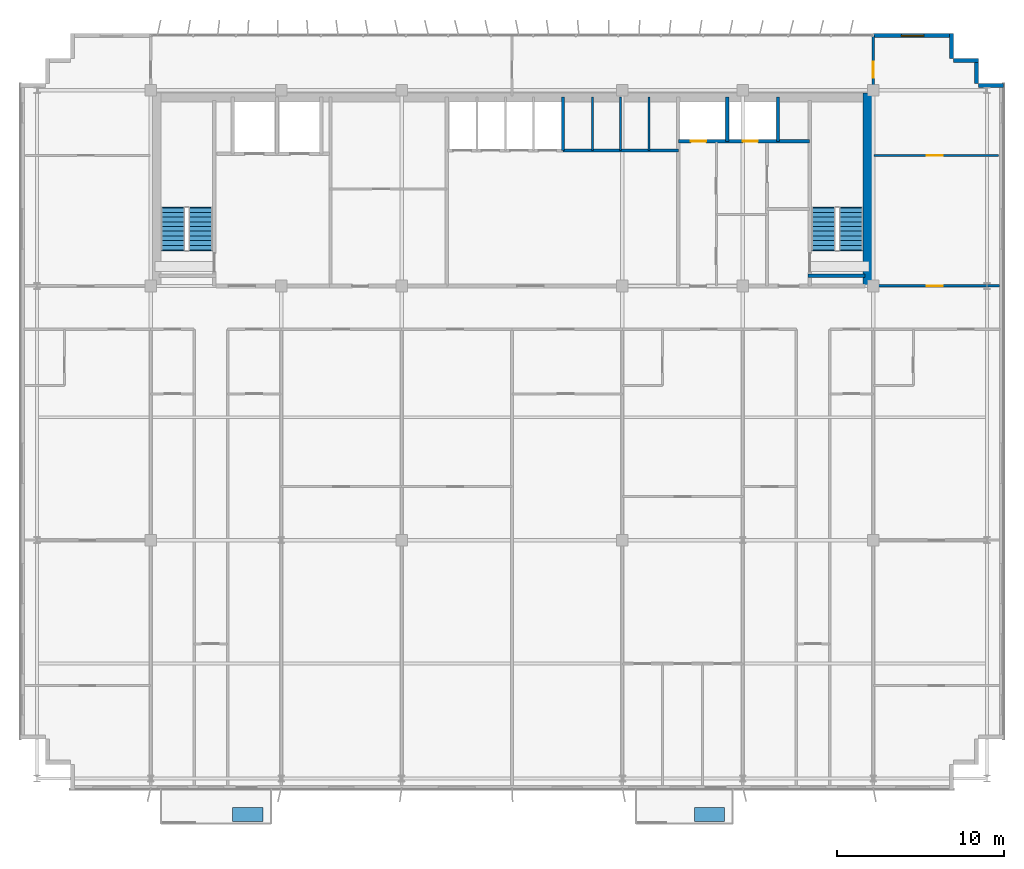
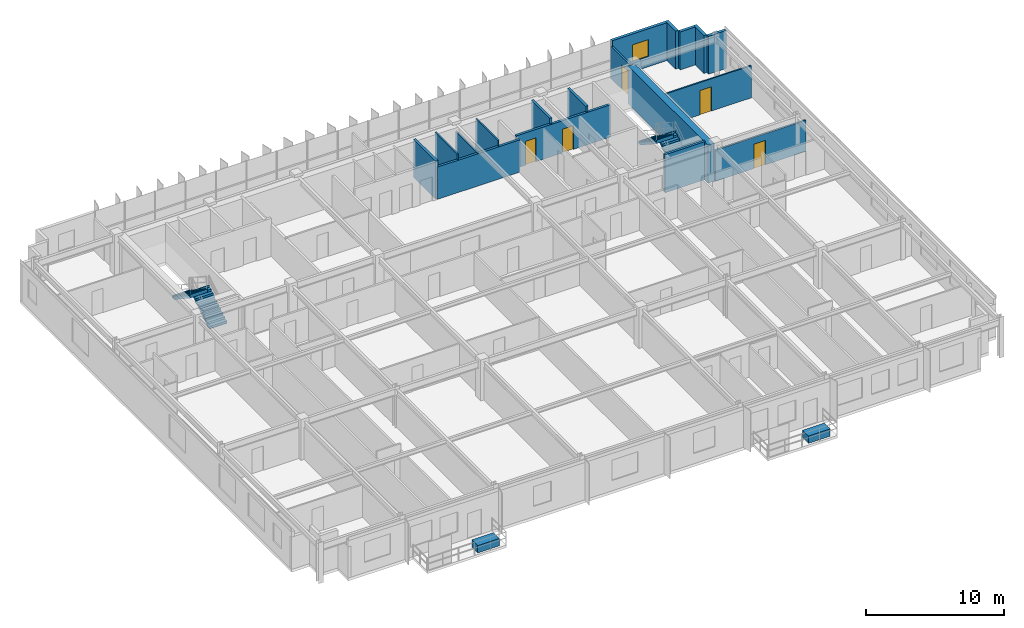
# One storey, part 18 of 20: 18 walls, 5 doors, 4 stair flights, 2 discrete accessories, 1 window, 6 openings, 2 elements without a shape of their own.
"""IFC4 building model written with IfcOpenShell, lengths in metres."""

from ifc_helpers import new_model, si_unit, direction, frame, frame_2d, origin, origin_2d, place, context, subcontext, project, spatial, polyline, rectangle, outline, extrude, source, transform, mapped, material, layer, layer_set, type_object, element, fill, aggregate, save


model = new_model("IFC4")

# Units and contexts
model_context = context("Model", 3, precision=1e-05, world=origin(), true_north=direction((0.0, 1.0)))
body_context = subcontext(model_context, "Body", "Model", "MODEL_VIEW")
ifc_project = project(units=[si_unit("LENGTHUNIT", "METRE"), si_unit("AREAUNIT", "SQUARE_METRE"), si_unit("VOLUMEUNIT", "CUBIC_METRE"), si_unit("PLANEANGLEUNIT", "RADIAN"), si_unit("MASSUNIT", "GRAM", prefix="KILO")], contexts=[model_context])

# Site, building, storey
site_placement = place(None, origin())
site = spatial("IfcSite", under=ifc_project, at=site_placement, CompositionType="ELEMENT")
building_placement = place(site_placement, origin())
building = spatial("IfcBuilding", under=site, at=building_placement, Name="Trelvane Seafront Commons", CompositionType="ELEMENT")
storey_placement = place(building_placement, frame((0.0, 0.0, 164.5)))
storey = spatial("IfcBuildingStorey", under=building, at=storey_placement, Name="L43", CompositionType="ELEMENT", Elevation=164.5)

# Wall, opening, window
ifc_material_1 = material(Name="Precast concrete C40/50", Category="concrete")
ifc_layer_1 = layer(ifc_material_1, 0.239990234375, Name="ARCH-WALL-EXT240")
ifc_layer_set_1 = layer_set([ifc_layer_1], Name="Precast concrete C40/50")
wall_type_1 = type_object("IfcWallType", Name="ARCH-WALL-EXT240", PredefinedType="SOLIDWALL", material=ifc_layer_set_1)
wall_1_placement = place(storey_placement, frame((58.800048828125, 48.3701171875, 0.0), z_axis=(0.0, 0.0, 1.0), x_axis=(1.0, 0.0, 0.0)))
wall_1 = element("IfcWall", 1, at=wall_1_placement, inside=storey, type_object=wall_type_1, Name="EW-L43-NE-0843", PredefinedType="SOLIDWALL", context=body_context, shape_type="SweptSolid", body=[
    extrude(rectangle(XDim=4.699951171875, YDim=0.239990234375, at=frame_2d((2.35009765625, 0.0))), origin(), (0.0, 0.0, 1.0), 3.35009765625),
])
opening_1_placement = place(wall_1_placement, frame((1.675048828125, 0.0, 0.89990234375)))
opening_1 = element("IfcOpeningElement", 2, at=opening_1_placement, cuts=wall_1, Name="Opening W09", PredefinedType="OPENING", context=body_context, shape_type="SweptSolid", body=[
    extrude(rectangle(XDim=1.35009765625, YDim=1.5, at=frame_2d((0.675048828125, 0.75))), frame((0.0, 0.1298828125, 0.0), z_axis=(0.0, -1.0, 0.0), x_axis=(1.0, 0.0, 0.0)), (0.0, 0.0, 1.0), 0.260009765625),
])
ifc_material_2 = material(Name="Low-E coastal double glazing", Category="glass")
window_type = type_object("IfcWindowType", Name="ARCH-WIN-W09", PartitioningType="SINGLE_PANEL", PredefinedType="WINDOW", material=ifc_material_2)
shared_shape_1 = source(origin(), body_context, "Body", "SweptSolid", [
    extrude(rectangle(XDim=1.35009765625, YDim=1.5, at=frame_2d((0.675048828125, 0.75))), frame((0.0, 0.030029296875, 0.0), z_axis=(0.0, -1.0, 0.0), x_axis=(1.0, 0.0, 0.0)), (0.0, 0.0, 1.0), 0.06005859375),
])
window_placement = place(opening_1_placement, origin())
window = element("IfcWindow", 3, at=window_placement, inside=storey, type_object=window_type, Name="WIN-L43-01013", OverallHeight=1.5, OverallWidth=1.35009765625, PartitioningType="SINGLE_PANEL", PredefinedType="WINDOW", context=body_context, shape_type="MappedRepresentation", body=[
    mapped(shared_shape_1, transform((0.0, 0.0, 0.0), x_axis=(1.0, 0.0, 0.0), y_axis=(0.0, 1.0, 0.0), z_axis=(0.0, 0.0, 1.0), scale=1.0)),
])
fill(opening_1, window)

# Walls
for number, where, z_axis, x_axis, name in (
    (4, (63.47998046875, 48.5, 0.0), (0.0, 0.0, 1.0), (0.0, -1.0, 0.0), "EW-L43-00852"),
    (5, (63.60009765625, 46.8798828125, 0.0), (0.0, 0.0, 1.0), (1.0, 0.0, 0.0), "EW-L43-00853"),
    (6, (64.97998046875, 47.0, 0.0), (0.0, 0.0, 1.0), (0.0, -1.0, 0.0), "EW-L43-00854"),
    (7, (65.10009765625, 45.3798828125, 0.0), (0.0, 0.0, 1.0), (1.0, 0.0, 0.0), "EW-L43-00855"),
):
    element("IfcWall", number, at=place(storey_placement, frame(where, z_axis=z_axis, x_axis=x_axis)), inside=storey, type_object=wall_type_1, Name=name, PredefinedType="SOLIDWALL", context=body_context, shape_type="SweptSolid", body=[
        extrude(rectangle(XDim=1.5, YDim=0.239990234375, at=frame_2d((0.75, 0.0))), origin(), (0.0, 0.0, 1.0), 3.35009765625),
    ])
ifc_material_3 = material(Name="Gypsum Drywall Acoustic Partition")
ifc_layer_2 = layer(ifc_material_3, 0.1201171875, Name="ARCH-WALL-PART120")
ifc_layer_set_2 = layer_set([ifc_layer_2], Name="Gypsum Drywall Acoustic Partition")
wall_type_2 = type_object("IfcWallType", Name="ARCH-WALL-PART120", PredefinedType="PARTITIONING", material=ifc_layer_set_2)
wall_2_placement = place(storey_placement, frame((42.0, 41.5, 0.0), z_axis=(0.0, 0.0, 1.0), x_axis=(0.0, 1.0, 0.0)))
element("IfcWall", 8, at=wall_2_placement, inside=storey, type_object=wall_type_2, Name="W-L43-PH-DIV1-022", PredefinedType="PARTITIONING", context=body_context, shape_type="SweptSolid", body=[
    extrude(rectangle(XDim=3.199951171875, YDim=0.1201171875, at=frame_2d((1.60009765625, 0.0))), origin(), (0.0, 0.0, 1.0), 3.35009765625),
])
wall_3_placement = place(storey_placement, frame((43.699951171875, 41.5, 0.0), z_axis=(0.0, 0.0, 1.0), x_axis=(0.0, 1.0, 0.0)))
element("IfcWall", 9, at=wall_3_placement, inside=storey, type_object=wall_type_2, Name="W-L43-PH-DIV2-023", PredefinedType="PARTITIONING", context=body_context, shape_type="SweptSolid", body=[
    extrude(rectangle(XDim=3.199951171875, YDim=0.1201171875, at=frame_2d((1.60009765625, 0.0))), origin(), (0.0, 0.0, 1.0), 2.85009765625),
])
wall_4_placement = place(storey_placement, frame((45.39990234375, 41.5, 0.0), z_axis=(0.0, 0.0, 1.0), x_axis=(0.0, 1.0, 0.0)))
element("IfcWall", 10, at=wall_4_placement, inside=storey, type_object=wall_type_2, Name="W-L43-PH-DIV3-024", PredefinedType="PARTITIONING", context=body_context, shape_type="SweptSolid", body=[
    extrude(rectangle(XDim=3.199951171875, YDim=0.1201171875, at=frame_2d((1.60009765625, 0.0))), origin(), (0.0, 0.0, 1.0), 3.35009765625),
])

# Wall, opening, door
wall_5_placement = place(storey_placement, frame((58.85009765625, 41.199951171875, 0.0), z_axis=(0.0, 0.0, 1.0), x_axis=(1.0, 0.0, 0.0)))
wall_5 = element("IfcWall", 11, at=wall_5_placement, inside=storey, type_object=wall_type_2, Name="W-L43-NE-LGDV-038", PredefinedType="PARTITIONING", context=body_context, shape_type="SweptSolid", body=[
    extrude(rectangle(XDim=7.449951171875, YDim=0.1201171875, at=frame_2d((3.72509765625, 0.0))), origin(), (0.0, 0.0, 1.0), 2.85009765625),
])
opening_2_placement = place(wall_5_placement, frame((3.156982421875, 0.0, 0.0)))
opening_2 = element("IfcOpeningElement", 12, at=opening_2_placement, cuts=wall_5, Name="Opening D-L43-22", PredefinedType="OPENING", context=body_context, shape_type="SweptSolid", body=[
    extrude(rectangle(XDim=0.949951171875, YDim=2.14990234375, at=frame_2d((0.47509765625, 1.074951171875))), frame((0.0, 0.070068359375, 0.0), z_axis=(0.0, -1.0, 0.0), x_axis=(1.0, 0.0, 0.0)), (0.0, 0.0, 1.0), 0.14013671875),
])
ifc_material_4 = material(Name="Acoustic timber door leaf", Category="wood")
door_type_1 = type_object("IfcDoorType", Name="ARCH-DR-INT950", OperationType="NOTDEFINED", PredefinedType="DOOR", material=ifc_material_4)
shared_shape_2 = source(origin(), body_context, "Body", "SweptSolid", [
    extrude(rectangle(XDim=0.949951171875, YDim=2.14990234375, at=frame_2d((0.47509765625, 1.074951171875))), frame((0.0, 0.02490234375, 0.0), z_axis=(0.0, -1.0, 0.0), x_axis=(1.0, 0.0, 0.0)), (0.0, 0.0, 1.0), 0.050048828125),
])
door_1_placement = place(opening_2_placement, origin())
door_1 = element("IfcDoor", 13, at=door_1_placement, inside=storey, type_object=door_type_1, Name="L43 Door 22", OperationType="SINGLE_SWING_RIGHT", OverallHeight=2.14990234375, OverallWidth=0.949951171875, PredefinedType="DOOR", context=body_context, shape_type="MappedRepresentation", body=[
    mapped(shared_shape_2, transform((0.0, 0.0, 0.0), x_axis=(1.0, 0.0, 0.0), y_axis=(0.0, 1.0, 0.0), z_axis=(0.0, 0.0, 1.0), scale=1.0)),
])
fill(opening_2, door_1)

ifc_layer_3 = layer(ifc_material_3, 0.14990234375, Name="ARCH-WALL-PART150")
ifc_layer_set_3 = layer_set([ifc_layer_3], Name="Gypsum Drywall Acoustic Partition")
wall_type_3 = type_object("IfcWallType", Name="ARCH-WALL-PART150", PredefinedType="PARTITIONING", material=ifc_layer_set_3)
wall_6_placement = place(storey_placement, frame((58.800048828125, 33.39990234375, 0.0), z_axis=(0.0, 0.0, 1.0), x_axis=(1.0, 0.0, 0.0)))
wall_6 = element("IfcWall", 14, at=wall_6_placement, inside=storey, type_object=wall_type_3, Name="W-L43-NE-ENT-039", PredefinedType="PARTITIONING", context=body_context, shape_type="SweptSolid", body=[
    extrude(rectangle(XDim=7.550048828125, YDim=0.14990234375, at=frame_2d((3.77490234375, 0.0))), origin(), (0.0, 0.0, 1.0), 2.75),
])
opening_3_placement = place(wall_6_placement, frame((3.199951171875, 0.0, 0.0)))
opening_3 = element("IfcOpeningElement", 15, at=opening_3_placement, cuts=wall_6, Name="Opening FD-L43-23", PredefinedType="OPENING", context=body_context, shape_type="SweptSolid", body=[
    extrude(rectangle(XDim=0.949951171875, YDim=2.14990234375, at=frame_2d((0.47509765625, 1.074951171875))), frame((0.0, 0.0849609375, 0.0), z_axis=(0.0, -1.0, 0.0), x_axis=(1.0, 0.0, 0.0)), (0.0, 0.0, 1.0), 0.169921875),
])
ifc_material_5 = material(Name="Powder-coated aluminium frame", Category="aluminium")
door_type_2 = type_object("IfcDoorType", Name="ARCH-DR-FD60-950", OperationType="NOTDEFINED", PredefinedType="DOOR", material=ifc_material_5)
door_2_placement = place(opening_3_placement, origin())
door_2 = element("IfcDoor", 16, at=door_2_placement, inside=storey, type_object=door_type_2, Name="L43 NE Suite Entrance Door", OperationType="SINGLE_SWING_LEFT", OverallHeight=2.14990234375, OverallWidth=0.949951171875, PredefinedType="DOOR", context=body_context, shape_type="MappedRepresentation", body=[
    mapped(shared_shape_2, transform((0.0, 0.0, 0.0), x_axis=(1.0, 0.0, 0.0), y_axis=(0.0, 1.0, 0.0), z_axis=(0.0, 0.0, 1.0), scale=1.0)),
])
fill(opening_3, door_2)

wall_7_placement = place(storey_placement, frame((58.800048828125, 44.75, 0.0), z_axis=(0.0, 0.0, 1.0), x_axis=(0.0, 1.0, 0.0)))
wall_7 = element("IfcWall", 17, at=wall_7_placement, inside=storey, type_object=wall_type_3, Name="W-L43-N-LINK-E-042", PredefinedType="PARTITIONING", context=body_context, shape_type="SweptSolid", body=[
    extrude(rectangle(XDim=3.610107421875, YDim=0.14990234375, at=frame_2d((1.80517578125, 0.0))), origin(), (0.0, 0.0, 1.0), 2.85009765625),
])
opening_4_placement = place(wall_7_placement, frame((1.10009765625, 0.0, 0.0)))
opening_4 = element("IfcOpeningElement", 18, at=opening_4_placement, cuts=wall_7, Name="Opening FD-L43-26", PredefinedType="OPENING", context=body_context, shape_type="SweptSolid", body=[
    extrude(rectangle(XDim=0.949951171875, YDim=2.14990234375, at=frame_2d((0.47509765625, 1.074951171875))), frame((0.0, 0.0849609375, 0.0), z_axis=(0.0, -1.0, 0.0), x_axis=(1.0, 0.0, 0.0)), (0.0, 0.0, 1.0), 0.169921875),
])
door_3_placement = place(opening_4_placement, origin())
door_3 = element("IfcDoor", 19, at=door_3_placement, inside=storey, type_object=door_type_2, Name="L43 Door 26", OperationType="SINGLE_SWING_RIGHT", OverallHeight=2.14990234375, OverallWidth=0.949951171875, PredefinedType="DOOR", context=body_context, shape_type="MappedRepresentation", body=[
    mapped(shared_shape_2, transform((0.0, 0.0, 0.0), x_axis=(1.0, 0.0, 0.0), y_axis=(0.0, 1.0, 0.0), z_axis=(0.0, 0.0, 1.0), scale=1.0)),
])
fill(opening_4, door_3)

# Walls
ifc_material_6 = material(Name="Concrete C40/50", Category="concrete")
ifc_layer_4 = layer(ifc_material_6, 0.199951171875, Name="ARCH-WALL-SHAFT200")
ifc_layer_set_4 = layer_set([ifc_layer_4], Name="Concrete C40/50")
wall_type_4 = type_object("IfcWallType", Name="ARCH-WALL-SHAFT200", PredefinedType="SOLIDWALL", material=ifc_layer_set_4)
wall_8_placement = place(storey_placement, frame((40.25, 41.5, 0.0), z_axis=(0.0, 0.0, 1.0), x_axis=(1.0, 0.0, 0.0)))
element("IfcWall", 20, at=wall_8_placement, inside=storey, type_object=wall_type_4, Name="W-L43-PH-FRONT-020", PredefinedType="SOLIDWALL", context=body_context, shape_type="SweptSolid", body=[
    extrude(rectangle(XDim=6.89990234375, YDim=0.199951171875, at=frame_2d((3.449951171875, 0.0))), origin(), (0.0, 0.0, 1.0), 2.85009765625),
])
wall_9_placement = place(storey_placement, frame((40.25, 41.5, 0.0), z_axis=(0.0, 0.0, 1.0), x_axis=(0.0, 1.0, 0.0)))
element("IfcWall", 21, at=wall_9_placement, inside=storey, type_object=wall_type_4, Name="W-L43-PH-WEST-SH-021", PredefinedType="SOLIDWALL", context=body_context, shape_type="SweptSolid", body=[
    extrude(rectangle(XDim=3.199951171875, YDim=0.199951171875, at=frame_2d((1.60009765625, 0.0))), origin(), (0.0, 0.0, 1.0), 3.35009765625),
])

# Wall, openings, doors
wall_10_placement = place(storey_placement, frame((47.14990234375, 42.050048828125, 0.0), z_axis=(0.0, 0.0, 1.0), x_axis=(1.0, 0.0, 0.0)))
wall_10 = element("IfcWall", 22, at=wall_10_placement, inside=storey, type_object=wall_type_4, Name="W-L43-RSR-S-028", PredefinedType="SOLIDWALL", context=body_context, shape_type="SweptSolid", body=[
    extrude(rectangle(XDim=7.85009765625, YDim=0.199951171875, at=frame_2d((3.925048828125, 0.0))), origin(), (0.0, 0.0, 1.0), 2.85009765625),
])
opening_5_placement = place(wall_10_placement, frame((0.75, 0.0, 0.0)))
opening_5 = element("IfcOpeningElement", 23, at=opening_5_placement, cuts=wall_10, Name="Opening FD-L43-13", PredefinedType="OPENING", context=body_context, shape_type="SweptSolid", body=[
    extrude(rectangle(XDim=0.89990234375, YDim=2.10009765625, at=frame_2d((0.449951171875, 1.050048828125))), frame((0.0, 0.10986328125, 0.0), z_axis=(0.0, -1.0, 0.0), x_axis=(1.0, 0.0, 0.0)), (0.0, 0.0, 1.0), 0.219970703125),
])
opening_6_placement = place(wall_10_placement, frame((3.85009765625, 0.0, 0.0)))
opening_6 = element("IfcOpeningElement", 24, at=opening_6_placement, cuts=wall_10, Name="Opening FD-L43-14", PredefinedType="OPENING", context=body_context, shape_type="SweptSolid", body=[
    extrude(rectangle(XDim=0.89990234375, YDim=2.10009765625, at=frame_2d((0.449951171875, 1.050048828125))), frame((0.0, 0.10986328125, 0.0), z_axis=(0.0, -1.0, 0.0), x_axis=(1.0, 0.0, 0.0)), (0.0, 0.0, 1.0), 0.219970703125),
])
door_type_3 = type_object("IfcDoorType", Name="ARCH-DR-FD60-900", OperationType="NOTDEFINED", PredefinedType="DOOR", material=ifc_material_5)
shared_shape_3 = source(origin(), body_context, "Body", "SweptSolid", [
    extrude(rectangle(XDim=0.89990234375, YDim=2.10009765625, at=frame_2d((0.449951171875, 1.050048828125))), frame((0.0, 0.02490234375, 0.0), z_axis=(0.0, -1.0, 0.0), x_axis=(1.0, 0.0, 0.0)), (0.0, 0.0, 1.0), 0.050048828125),
])
door_4_placement = place(opening_5_placement, origin())
door_4 = element("IfcDoor", 25, at=door_4_placement, inside=storey, type_object=door_type_3, Name="L43 Electrical Riser Access Door", OperationType="SINGLE_SWING_LEFT", OverallHeight=2.10009765625, OverallWidth=0.89990234375, PredefinedType="DOOR", context=body_context, shape_type="MappedRepresentation", body=[
    mapped(shared_shape_3, transform((0.0, 0.0, 0.0), x_axis=(1.0, 0.0, 0.0), y_axis=(0.0, 1.0, 0.0), z_axis=(0.0, 0.0, 1.0), scale=1.0)),
])
fill(opening_5, door_4)
door_5_placement = place(opening_6_placement, origin())
door_5 = element("IfcDoor", 26, at=door_5_placement, inside=storey, type_object=door_type_3, Name="L43 Mechanical Riser Access Door", OperationType="SINGLE_SWING_RIGHT", OverallHeight=2.10009765625, OverallWidth=0.89990234375, PredefinedType="DOOR", context=body_context, shape_type="MappedRepresentation", body=[
    mapped(shared_shape_3, transform((0.0, 0.0, 0.0), x_axis=(1.0, 0.0, 0.0), y_axis=(0.0, 1.0, 0.0), z_axis=(0.0, 0.0, 1.0), scale=1.0)),
])
fill(opening_6, door_5)

# Walls
for number, where, z_axis, x_axis, name in (
    (27, (50.080078125, 42.050048828125, 0.0), (0.0, 0.0, 1.0), (0.0, 1.0, 0.0), "W-L43-RSR-DIV-029"),
    (28, (53.10009765625, 42.050048828125, 0.0), (0.0, 0.0, 1.0), (0.0, 1.0, 0.0), "W-L43-RSR-E-030"),
):
    element("IfcWall", number, at=place(storey_placement, frame(where, z_axis=z_axis, x_axis=x_axis)), inside=storey, type_object=wall_type_4, Name=name, PredefinedType="SOLIDWALL", context=body_context, shape_type="SweptSolid", body=[
        extrude(rectangle(XDim=2.64990234375, YDim=0.199951171875, at=frame_2d((1.324951171875, 0.0))), origin(), (0.0, 0.0, 1.0), 3.35009765625),
    ])
ifc_material_7 = material(Name="Concrete C50/60", Category="concrete")
ifc_layer_5 = layer(ifc_material_7, 0.550048828125, Name="STR-WALL-CORE550")
ifc_layer_set_5 = layer_set([ifc_layer_5], Name="Concrete C50/60")
wall_type_5 = type_object("IfcWallType", Name="STR-WALL-CORE550", PredefinedType="SHEAR", material=ifc_layer_set_5)
wall_11_placement = place(storey_placement, frame((58.47509765625, 33.39990234375, 0.0), z_axis=(0.0, 0.0, 1.0), x_axis=(0.0, 1.0, 0.0)))
element("IfcWall", 29, at=wall_11_placement, inside=storey, type_object=wall_type_5, Name="W-L43-CE-END-003", PredefinedType="SHEAR", context=body_context, shape_type="SweptSolid", body=[
    extrude(rectangle(XDim=11.550048828125, YDim=0.550048828125, at=frame_2d((5.77490234375, 0.0))), origin(), (0.0, 0.0, 1.0), 3.35009765625),
])
ifc_layer_6 = layer(ifc_material_7, 0.199951171875, Name="STR-WALL-STAIR200")
ifc_layer_set_6 = layer_set([ifc_layer_6], Name="Concrete C50/60")
wall_type_6 = type_object("IfcWallType", Name="STR-WALL-STAIR200", PredefinedType="SHEAR", material=ifc_layer_set_6)
wall_12_placement = place(storey_placement, frame((54.89990234375, 34.0, 0.0), z_axis=(0.0, 0.0, 1.0), x_axis=(1.0, 0.0, 0.0)))
element("IfcWall", 30, at=wall_12_placement, inside=storey, type_object=wall_type_6, Name="W-L43-ST2-S-006", PredefinedType="SHEAR", context=body_context, shape_type="SweptSolid", body=[
    extrude(rectangle(XDim=3.400146484375, YDim=0.199951171875, at=frame_2d((1.7001953125, 0.0))), origin(), (0.0, 0.0, 1.0), 3.35009765625),
])

# Stair, stair flights
stair_type_1 = type_object("IfcStairType", Name="ARCH-STR-ST-1-R20-180", PredefinedType="HALF_TURN_STAIR", material=ifc_material_6)
stair_1_placement = place(storey_placement, origin())
stair_1 = element("IfcStair", 31, at=stair_1_placement, inside=storey, type_object=stair_type_1, Name="L43 West Protected Firefighting Exit Stair ST-1", PredefinedType="HALF_TURN_STAIR")
stair_flight_type_1 = type_object("IfcStairFlightType", Name="ARCH-FLG-ST-1-R20-180", PredefinedType="STRAIGHT", material=ifc_material_6)
shared_shape_4 = source(origin(), body_context, "Body", "SweptSolid", [
    extrude(outline(polyline([(-0.050048828125, -0.02001953125), (-0.050048828125, 0.0), (0.0, 0.0), (0.0, 0.179931640625), (0.280029296875, 0.179931640625), (0.280029296875, 0.360107421875), (0.56005859375, 0.360107421875), (0.56005859375, 0.5400390625), (0.840087890625, 0.5400390625), (0.840087890625, 0.719970703125), (1.1201171875, 0.719970703125), (1.1201171875, 0.89990234375), (1.39990234375, 0.89990234375), (1.39990234375, 1.080078125), (1.679931640625, 1.080078125), (1.679931640625, 1.260009765625), (1.9599609375, 1.260009765625), (1.9599609375, 1.43994140625), (2.239990234375, 1.43994140625), (2.239990234375, 1.6201171875), (2.52001953125, 1.6201171875), (2.52001953125, 1.800048828125), (2.570068359375, 1.800048828125), (2.570068359375, 1.650146484375), (2.52001953125, 1.44189453125), (0.277099609375, -0.02001953125), (-0.050048828125, -0.02001953125)])), frame((0.0, 0.72509765625, 0.0), z_axis=(0.0, -1.0, 0.0), x_axis=(1.0, 0.0, 0.0)), (0.0, 0.0, 1.0), 1.449951171875),
])
stair_flight_1_placement = place(storey_placement, frame((18.574951171875, 35.550048828125, 0.0), z_axis=(0.0, 0.0, 1.0), x_axis=(0.0, 1.0, 0.0)))
stair_flight_1 = element("IfcStairFlight", 32, at=stair_flight_1_placement, type_object=stair_flight_type_1, Name="ST-1 flight 1", NumberOfRisers=10, NumberOfTreads=9, PredefinedType="STRAIGHT", RiserHeight=0.18, TreadLength=0.28, context=body_context, shape_type="MappedRepresentation", body=[
    mapped(shared_shape_4, transform((0.0, 0.0, 0.0), x_axis=(1.0, 0.0, 0.0), y_axis=(0.0, 1.0, 0.0), z_axis=(0.0, 0.0, 1.0), scale=1.0)),
])
stair_flight_2_placement = place(storey_placement, frame((16.925048828125, 38.070068359375, 1.800048828125), z_axis=(0.0, 0.0, 1.0), x_axis=(0.0, -1.0, 0.0)))
stair_flight_2 = element("IfcStairFlight", 33, at=stair_flight_2_placement, type_object=stair_flight_type_1, Name="ST-1 flight 2", NumberOfRisers=10, NumberOfTreads=9, PredefinedType="STRAIGHT", RiserHeight=0.18, TreadLength=0.28, context=body_context, shape_type="MappedRepresentation", body=[
    mapped(shared_shape_4, transform((0.0, 0.0, 0.0), x_axis=(1.0, 0.0, 0.0), y_axis=(0.0, 1.0, 0.0), z_axis=(0.0, 0.0, 1.0), scale=1.0)),
])
aggregate(stair_1, [stair_flight_1, stair_flight_2])

stair_type_2 = type_object("IfcStairType", Name="ARCH-STR-ST-2-R20-180", PredefinedType="HALF_TURN_STAIR", material=ifc_material_6)
stair_2_placement = place(storey_placement, origin())
stair_2 = element("IfcStair", 34, at=stair_2_placement, inside=storey, type_object=stair_type_2, Name="L43 East Protected Firefighting Exit Stair ST-2", PredefinedType="HALF_TURN_STAIR")
stair_flight_type_2 = type_object("IfcStairFlightType", Name="ARCH-FLG-ST-2-R20-180", PredefinedType="STRAIGHT", material=ifc_material_6)
stair_flight_3_placement = place(storey_placement, frame((57.47509765625, 35.550048828125, 0.0), z_axis=(0.0, 0.0, 1.0), x_axis=(0.0, 1.0, 0.0)))
stair_flight_3 = element("IfcStairFlight", 35, at=stair_flight_3_placement, type_object=stair_flight_type_2, Name="ST-2 flight 1", NumberOfRisers=10, NumberOfTreads=9, PredefinedType="STRAIGHT", RiserHeight=0.18, TreadLength=0.28, context=body_context, shape_type="MappedRepresentation", body=[
    mapped(shared_shape_4, transform((0.0, 0.0, 0.0), x_axis=(1.0, 0.0, 0.0), y_axis=(0.0, 1.0, 0.0), z_axis=(0.0, 0.0, 1.0), scale=1.0)),
])
stair_flight_4_placement = place(storey_placement, frame((55.824951171875, 38.070068359375, 1.800048828125), z_axis=(0.0, 0.0, 1.0), x_axis=(0.0, -1.0, 0.0)))
stair_flight_4 = element("IfcStairFlight", 36, at=stair_flight_4_placement, type_object=stair_flight_type_2, Name="ST-2 flight 2", NumberOfRisers=10, NumberOfTreads=9, PredefinedType="STRAIGHT", RiserHeight=0.18, TreadLength=0.28, context=body_context, shape_type="MappedRepresentation", body=[
    mapped(shared_shape_4, transform((0.0, 0.0, 0.0), x_axis=(1.0, 0.0, 0.0), y_axis=(0.0, 1.0, 0.0), z_axis=(0.0, 0.0, 1.0), scale=1.0)),
])
aggregate(stair_2, [stair_flight_3, stair_flight_4])

# Discrete accessories
discrete_accessory_type = type_object("IfcDiscreteAccessoryType", Name="ARCH-ACC-PLANTER", PredefinedType="USERDEFINED", material=ifc_material_1)
shared_shape_5 = source(origin(), body_context, "Body", "SweptSolid", [
    extrude(rectangle(XDim=1.800048828125, YDim=0.85009765625, at=origin_2d()), origin(), (0.0, 0.0, 1.0), 0.64990234375),
])
for number, where, z_axis, x_axis, name in (
    (37, (21.39990234375, 1.800048828125, 0.0), (0.0, 0.0, 1.0), (1.0, 0.0, 0.0), "PLN-L43-B0-048"),
    (38, (49.0, 1.800048828125, 0.0), (0.0, 0.0, 1.0), (1.0, 0.0, 0.0), "PLN-L43-B1-049"),
):
    element("IfcDiscreteAccessory", number, at=place(storey_placement, frame(where, z_axis=z_axis, x_axis=x_axis)), inside=storey, type_object=discrete_accessory_type, Name=name, ObjectType="BALCONY TREE PLANTER", PredefinedType="USERDEFINED", context=body_context, shape_type="MappedRepresentation", body=[
        mapped(shared_shape_5, transform((0.0, 0.0, 0.0), x_axis=(1.0, 0.0, 0.0), y_axis=(0.0, 1.0, 0.0), z_axis=(0.0, 0.0, 1.0), scale=1.0)),
    ])

save(model, "model.ifc")
